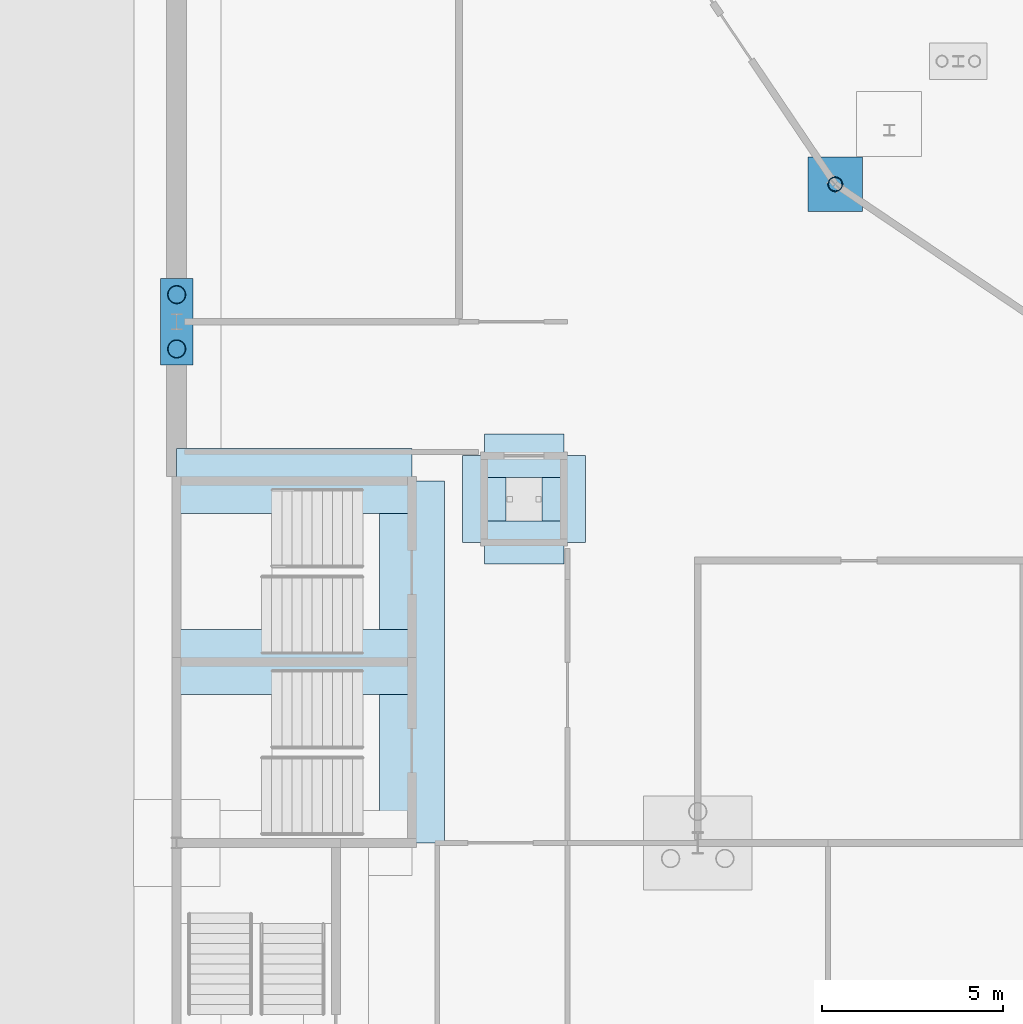
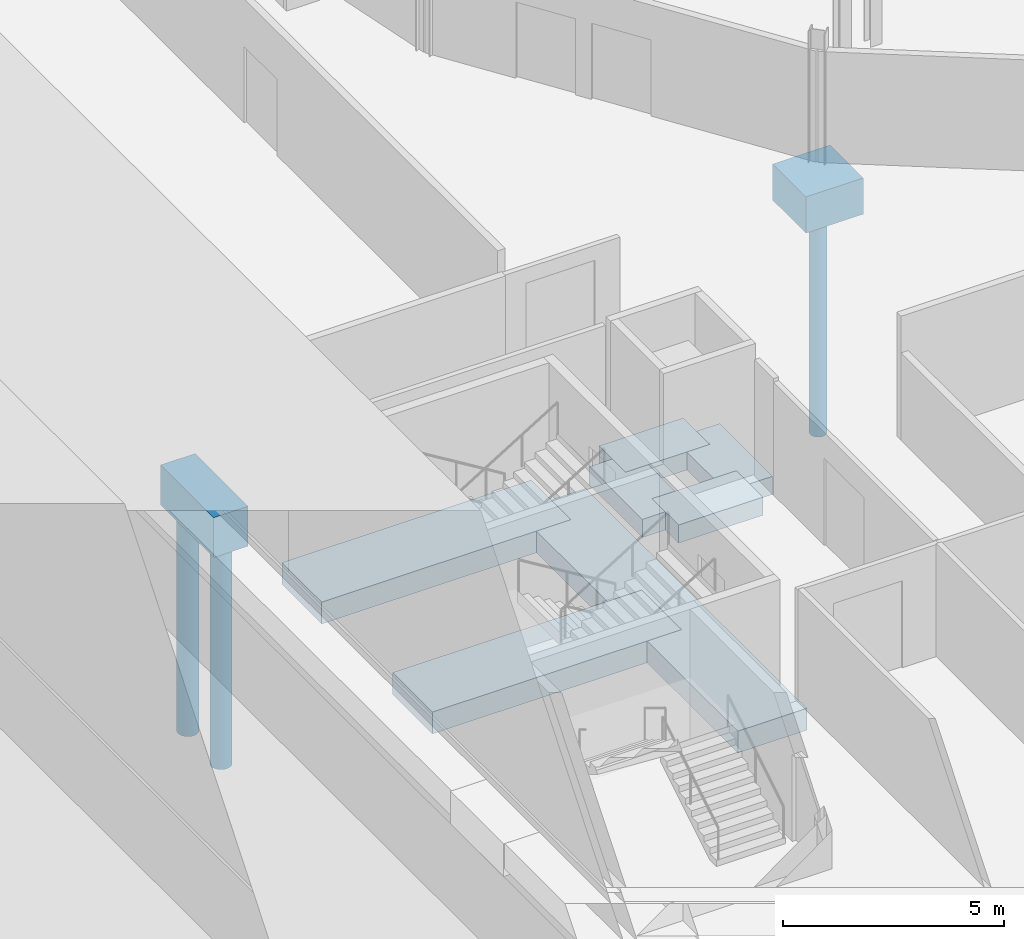
# One storey, part 5 of 148: 9 footings, 3 piles.
"""IFC4 building model written with IfcOpenShell, lengths in metres."""

from ifc_helpers import new_model, si_unit, direction, frame, origin, origin_2d, place, context, subcontext, project, spatial, rectangle, hollow_circle, extrude, material, layer, layer_set, material_profile, profile_set, type_object, element, save


model = new_model("IFC4")

# Units and contexts
model_context = context("Model", 3, precision=1e-05, world=origin(), true_north=direction((0.0, 1.0)))
body_context = subcontext(model_context, "Body", "Model", "MODEL_VIEW")
ifc_project = project(units=[si_unit("LENGTHUNIT", "METRE"), si_unit("AREAUNIT", "SQUARE_METRE"), si_unit("VOLUMEUNIT", "CUBIC_METRE"), si_unit("PLANEANGLEUNIT", "RADIAN"), si_unit("MASSUNIT", "GRAM", prefix="KILO")], contexts=[model_context])

# Site, building, storey
site_placement = place(None, origin())
site = spatial("IfcSite", under=ifc_project, at=site_placement, CompositionType="ELEMENT")
building_placement = place(site_placement, origin())
building = spatial("IfcBuilding", under=site, at=building_placement, Name="Kupolbacken Congress Centre", CompositionType="ELEMENT")
storey_placement = place(building_placement, origin())
storey = spatial("IfcBuildingStorey", under=building, at=storey_placement, Name="L00", CompositionType="ELEMENT", Elevation=0.0)

# Footings
ifc_material_1 = material(Name="Concrete C30/37", Category="concrete")
ifc_layer_1 = layer(ifc_material_1, 1.10009765625)
ifc_layer_set_1 = layer_set([ifc_layer_1], Name="Concrete C30/37")
footing_type_1 = type_object("IfcFootingType", Name="PC2 pile cap 2.40 x 0.90 x 1.10 m", PredefinedType="PILE_CAP", material=ifc_layer_set_1)
footing_1_placement = place(storey_placement, frame((7.199951171875, 64.800048828125, -1.400146484375), z_axis=(0.0, 0.0, 1.0), x_axis=(1.0, 0.0, 0.0)))
element("IfcFooting", 1, at=footing_1_placement, inside=storey, type_object=footing_type_1, Name="S/fnd/C-P-2K/cap", PredefinedType="PILE_CAP", context=body_context, shape_type="SweptSolid", body=[
    extrude(rectangle(XDim=0.89990234375, YDim=2.39990234375, at=origin_2d()), origin(), (0.0, 0.0, 1.0), 1.10009765625),
])
ifc_material_2 = material(Name="Concrete C30/37", Category="concrete")
ifc_layer_2 = layer(ifc_material_2, 1.0)
ifc_layer_set_2 = layer_set([ifc_layer_2], Name="Concrete C30/37")
footing_type_2 = type_object("IfcFootingType", Name="PC8 pile cap 1.50 x 1.50 x 1.00 m", PredefinedType="PILE_CAP", material=ifc_layer_set_2)
footing_2_placement = place(storey_placement, frame((25.39990234375, 68.60009765625, -1.300048828125), z_axis=(0.0, 0.0, 1.0), x_axis=(1.0, 0.0, 0.0)))
element("IfcFooting", 2, at=footing_2_placement, inside=storey, type_object=footing_type_2, Name="S/fnd/C-D11/cap", PredefinedType="PILE_CAP", context=body_context, shape_type="SweptSolid", body=[
    extrude(rectangle(XDim=1.5, YDim=1.5, at=origin_2d()), origin(), (0.0, 0.0, 1.0), 1.0),
])

# Piles
ifc_material_3 = material(Name="Steel S355", Category="steel")
ifc_material_profile_1 = material_profile(ifc_material_3, hollow_circle(Radius=0.203125, WallThickness=0.01611328125, at=origin_2d()), Name="CHS 406.4 x 16")
ifc_profile_set_1 = profile_set([ifc_material_profile_1], Name="Steel S355")
pile_type_1 = type_object("IfcPileType", Name="PL2 steel tube pile CHS 406.4 x 16", PredefinedType="BORED", material=ifc_profile_set_1)
pile_placement = place(storey_placement, frame((25.39990234375, 68.60009765625, -1.300048828125), z_axis=(0.0, 0.0, -1.0), x_axis=(1.0, 0.0, 0.0)))
element("IfcPile", 3, at=pile_placement, inside=storey, type_object=pile_type_1, Name="S/fnd/C-D11/pile1", PredefinedType="BORED", context=body_context, shape_type="SweptSolid", body=[
    extrude(hollow_circle(Radius=0.203125, WallThickness=0.01611328125, at=origin_2d()), origin(), (0.0, 0.0, 1.0), 6.199951171875),
])
ifc_material_4 = material(Name="Steel S355", Category="steel")
ifc_material_profile_2 = material_profile(ifc_material_4, hollow_circle(Radius=0.25390625, WallThickness=0.02001953125, at=origin_2d()), Name="CHS 508 x 20")
ifc_profile_set_2 = profile_set([ifc_material_profile_2], Name="Steel S355")
pile_type_2 = type_object("IfcPileType", Name="PL3 steel tube pile CHS 508 x 20", PredefinedType="BORED", material=ifc_profile_set_2)
for number, where, z_axis, x_axis, name in (
    (4, (7.199951171875, 64.050048828125, -1.39990234375), (0.0, 0.0, -1.0), (1.0, 0.0, 0.0), "S/fnd/C-P-2K/pile1"),
    (5, (7.199951171875, 65.550048828125, -1.39990234375), (0.0, 0.0, -1.0), (1.0, 0.0, 0.0), "S/fnd/C-P-2K/pile2"),
):
    element("IfcPile", number, at=place(storey_placement, frame(where, z_axis=z_axis, x_axis=x_axis)), inside=storey, type_object=pile_type_2, Name=name, PredefinedType="BORED", context=body_context, shape_type="SweptSolid", body=[
        extrude(hollow_circle(Radius=0.25390625, WallThickness=0.02001953125, at=origin_2d()), origin(), (0.0, 0.0, 1.0), 6.10009765625),
    ])

# Footings
ifc_material_5 = material(Name="Concrete C30/37", Category="concrete")
ifc_layer_3 = layer(ifc_material_5, 0.5)
ifc_layer_set_3 = layer_set([ifc_layer_3], Name="Concrete C30/37")
footing_type_3 = type_object("IfcFootingType", Name="SF1 strip footing 1.20 x 0.50 m", PredefinedType="STRIP_FOOTING", material=ifc_layer_set_3)
footing_3_placement = place(storey_placement, frame((16.800048828125, 58.699951171875, -0.800048828125), z_axis=(0.0, 0.0, 1.0), x_axis=(1.0, 0.0, 0.0)))
element("IfcFooting", 6, at=footing_3_placement, inside=storey, type_object=footing_type_3, Name="S/fnd/lift/017", PredefinedType="STRIP_FOOTING", context=body_context, shape_type="SweptSolid", body=[
    extrude(rectangle(XDim=2.199951171875, YDim=1.199951171875, at=origin_2d()), origin(), (0.0, 0.0, 1.0), 0.5),
])
footing_4_placement = place(storey_placement, frame((17.89990234375, 59.89990234375, -0.800048828125), z_axis=(0.0, 0.0, 1.0), x_axis=(0.0, 1.0, 0.0)))
element("IfcFooting", 7, at=footing_4_placement, inside=storey, type_object=footing_type_3, Name="S/fnd/lift/018", PredefinedType="STRIP_FOOTING", context=body_context, shape_type="SweptSolid", body=[
    extrude(rectangle(XDim=2.39990234375, YDim=1.199951171875, at=origin_2d()), origin(), (0.0, 0.0, 1.0), 0.5),
])
footing_5_placement = place(storey_placement, frame((16.800048828125, 61.10009765625, -0.800048828125), z_axis=(0.0, 0.0, 1.0), x_axis=(1.0, 0.0, 0.0)))
element("IfcFooting", 8, at=footing_5_placement, inside=storey, type_object=footing_type_3, Name="S/fnd/lift/019", PredefinedType="STRIP_FOOTING", context=body_context, shape_type="SweptSolid", body=[
    extrude(rectangle(XDim=2.199951171875, YDim=1.199951171875, at=origin_2d()), origin(), (0.0, 0.0, 1.0), 0.5),
])
footing_6_placement = place(storey_placement, frame((15.699951171875, 59.89990234375, -0.800048828125), z_axis=(0.0, 0.0, 1.0), x_axis=(0.0, 1.0, 0.0)))
element("IfcFooting", 9, at=footing_6_placement, inside=storey, type_object=footing_type_3, Name="S/fnd/lift/020", PredefinedType="STRIP_FOOTING", context=body_context, shape_type="SweptSolid", body=[
    extrude(rectangle(XDim=2.39990234375, YDim=1.199951171875, at=origin_2d()), origin(), (0.0, 0.0, 1.0), 0.5),
])
ifc_material_6 = material(Name="Concrete C30/37", Category="concrete")
ifc_layer_4 = layer(ifc_material_6, 0.60009765625)
ifc_layer_set_4 = layer_set([ifc_layer_4], Name="Concrete C30/37")
footing_type_4 = type_object("IfcFootingType", Name="SF2 strip footing 1.80 x 0.60 m", PredefinedType="STRIP_FOOTING", material=ifc_layer_set_4)
footing_7_placement = place(storey_placement, frame((13.699951171875, 55.39990234375, -0.900146484375), z_axis=(0.0, 0.0, 1.0), x_axis=(0.0, 1.0, 0.0)))
element("IfcFooting", 10, at=footing_7_placement, inside=storey, type_object=footing_type_4, Name="S/fnd/core/026", PredefinedType="STRIP_FOOTING", context=body_context, shape_type="SweptSolid", body=[
    extrude(rectangle(XDim=10.0, YDim=1.800048828125, at=origin_2d()), origin(), (0.0, 0.0, 1.0), 0.60009765625),
])
for number, where, z_axis, x_axis, name in (
    (11, (10.449951171875, 55.39990234375, -0.900146484375), (0.0, 0.0, 1.0), (1.0, 0.0, 0.0), "S/fnd/core/035"),
    (12, (10.449951171875, 60.39990234375, -0.900146484375), (0.0, 0.0, 1.0), (1.0, 0.0, 0.0), "S/fnd/core/044"),
):
    element("IfcFooting", number, at=place(storey_placement, frame(where, z_axis=z_axis, x_axis=x_axis)), inside=storey, type_object=footing_type_4, Name=name, PredefinedType="STRIP_FOOTING", context=body_context, shape_type="SweptSolid", body=[
        extrude(rectangle(XDim=6.5, YDim=1.800048828125, at=origin_2d()), origin(), (0.0, 0.0, 1.0), 0.60009765625),
    ])

save(model, "model.ifc")
